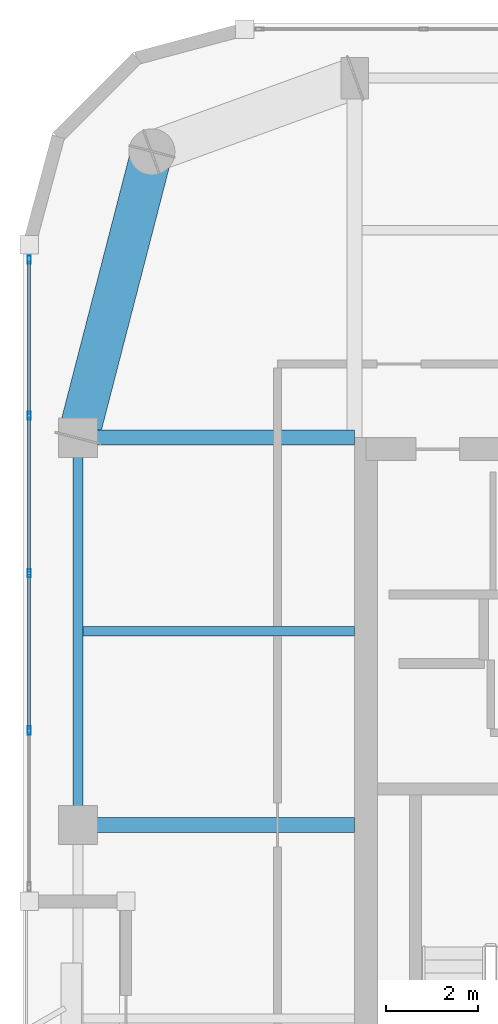
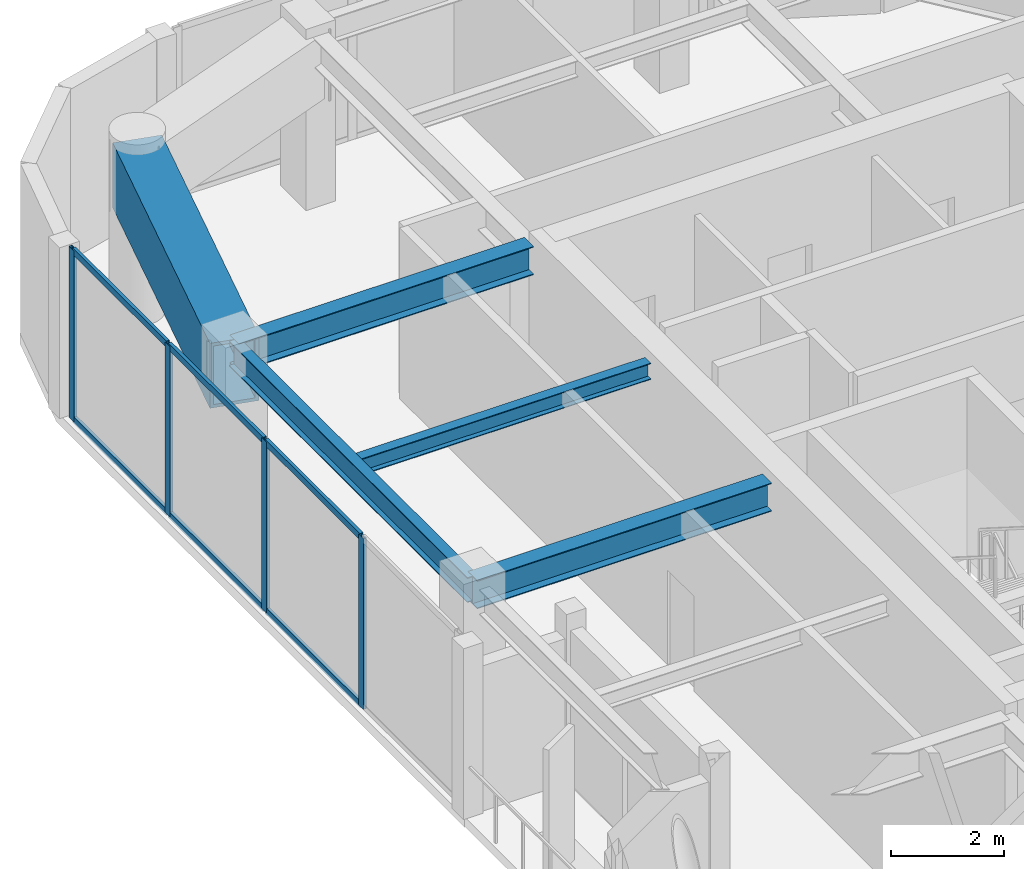
# One storey, part 4 of 15: 10 members, 5 beams, 1 element without a shape of its own.
"""IFC4 building model written with IfcOpenShell, lengths in metres."""

from ifc_helpers import new_model, si_unit, direction, frame, origin, origin_2d, place, context, subcontext, project, spatial, hollow_rectangle, i_section, extrude, material, layer, layer_set, material_profile, profile_set, type_object, element, aggregate, save


model = new_model("IFC4")

# Units and contexts
model_context = context("Model", 3, precision=1e-05, world=origin(), true_north=direction((0.0, 1.0)))
body_context = subcontext(model_context, "Body", "Model", "MODEL_VIEW")
ifc_project = project(units=[si_unit("LENGTHUNIT", "METRE"), si_unit("AREAUNIT", "SQUARE_METRE"), si_unit("VOLUMEUNIT", "CUBIC_METRE"), si_unit("PLANEANGLEUNIT", "RADIAN"), si_unit("MASSUNIT", "GRAM", prefix="KILO")], contexts=[model_context])

# Site, building, storey
site_placement = place(None, origin())
site = spatial("IfcSite", under=ifc_project, at=site_placement, CompositionType="ELEMENT")
building_placement = place(site_placement, origin())
building = spatial("IfcBuilding", under=site, at=building_placement, Name="Kiyonajd Concourse Tower", CompositionType="ELEMENT")
storey_placement = place(building_placement, frame((0.0, 0.0, 314.10009765625)))
storey = spatial("IfcBuildingStorey", under=building, at=storey_placement, Name="L79", CompositionType="ELEMENT", Elevation=314.10009765625)

# Beams
ifc_material_1 = material(Name="Steel ASTM A992 Grade 50", Category="steel")
ifc_material_profile_1 = material_profile(ifc_material_1, i_section(OverallWidth=0.205078125, OverallDepth=0.35400390625, WebThickness=0.009521484375, FlangeThickness=0.016845703125, at=origin_2d()), Name="W360X79")
ifc_profile_set_1 = profile_set([ifc_material_profile_1], Name="Steel ASTM A992 Grade 50")
beam_type_1 = type_object("IfcBeamType", Name="BM-JST-360", PredefinedType="JOIST", material=ifc_profile_set_1)
beam_1_placement = place(storey_placement, frame((26.505615234375, 40.199951171875, 3.5029296875), z_axis=(1.0, 0.0, 0.0), x_axis=(0.0, 1.0, 0.0)))
element("IfcBeam", 1, at=beam_1_placement, inside=storey, type_object=beam_type_1, Name="L79 West Secondary Floor Joist", PredefinedType="JOIST", context=body_context, shape_type="SweptSolid", body=[
    extrude(i_section(OverallWidth=0.205078125, OverallDepth=0.35400390625, WebThickness=0.009521484375, FlangeThickness=0.016845703125, at=origin_2d()), origin(), (0.0, 0.0, 1.0), 5.894287109375),
])
ifc_material_profile_2 = material_profile(ifc_material_1, i_section(OverallWidth=0.2109375, OverallDepth=0.5390625, WebThickness=0.01171875, FlangeThickness=0.018798828125, at=origin_2d()), Name="W530X109")
ifc_profile_set_2 = profile_set([ifc_material_profile_2], Name="Steel ASTM A992 Grade 50")
beam_type_2 = type_object("IfcBeamType", Name="BM-SPAN-530B", PredefinedType="SPANDREL", material=ifc_profile_set_2)
beam_2_placement = place(storey_placement, frame((26.39990234375, 44.39990234375, 3.410400390625), z_axis=(0.0, -1.0, 0.0), x_axis=(1.0, 0.0, 0.0)))
element("IfcBeam", 2, at=beam_2_placement, inside=storey, type_object=beam_type_2, Name="L79 Perimeter Bundled Tube Spandrel", PredefinedType="SPANDREL", context=body_context, shape_type="SweptSolid", body=[
    extrude(i_section(OverallWidth=0.2109375, OverallDepth=0.5390625, WebThickness=0.01171875, FlangeThickness=0.018798828125, at=origin_2d()), origin(), (0.0, 0.0, 1.0), 8.39990234375),
])
ifc_material_profile_3 = material_profile(ifc_material_1, i_section(OverallWidth=0.323974609375, OverallDepth=0.611083984375, WebThickness=0.0126953125, FlangeThickness=0.01904296875, at=origin_2d()), Name="W610X155")
ifc_profile_set_3 = profile_set([ifc_material_profile_3], Name="Steel ASTM A992 Grade 50")
beam_type_3 = type_object("IfcBeamType", Name="BM-TWR-610B", PredefinedType="BEAM", material=ifc_profile_set_3)
for number, where, z_axis, x_axis, name in (
    (3, (26.39990234375, 36.0, 3.37451171875), (1.0, 0.0, 0.0), (0.0, 1.0, 0.0), "L79 West Lease Girder"),
    (4, (26.39990234375, 44.39990234375, 3.37451171875), (1.0, 0.0, 0.0), (0.0, 1.0, 0.0), "L79 West Lease Girder"),
):
    element("IfcBeam", number, at=place(storey_placement, frame(where, z_axis=z_axis, x_axis=x_axis)), inside=storey, type_object=beam_type_3, Name=name, PredefinedType="BEAM", context=body_context, shape_type="SweptSolid", body=[
        extrude(i_section(OverallWidth=0.323974609375, OverallDepth=0.611083984375, WebThickness=0.0126953125, FlangeThickness=0.01904296875, at=origin_2d()), origin(), (0.0, 0.0, 1.0), 6.0),
    ])
ifc_material_2 = material(Name="Steel ASTM A572 Grade 50", Category="steel")
ifc_material_profile_4 = material_profile(ifc_material_2, hollow_rectangle(XDim=0.89990234375, YDim=1.39990234375, WallThickness=0.070068359375, at=origin_2d()), Name="BOX-1400x900x70")
ifc_profile_set_4 = profile_set([ifc_material_profile_4], Name="Steel ASTM A572 Grade 50")
beam_type_4 = type_object("IfcBeamType", Name="BM-XFER-1400", PredefinedType="BEAM", material=ifc_profile_set_4)
beam_3_placement = place(storey_placement, frame((28.0, 50.60009765625, 2.97998046875), z_axis=(-0.249884937687, -0.968275538221, 0.0), x_axis=(0.968275538221, -0.249884937687, 0.0)))
element("IfcBeam", 5, at=beam_3_placement, inside=storey, type_object=beam_type_4, Name="L79 Perimeter Bundled Tube Spandrel", PredefinedType="BEAM", context=body_context, shape_type="SweptSolid", body=[
    extrude(hollow_rectangle(XDim=0.89990234375, YDim=1.39990234375, WallThickness=0.070068359375, at=origin_2d()), origin(), (0.0, 0.0, 1.0), 6.4033203125),
])

# Curtain wall, members
ifc_material_3 = material(Name="Thermally Broken Anodised Aluminium", Category="aluminium")
ifc_layer = layer(ifc_material_3, 0.179931640625)
ifc_layer_set = layer_set([ifc_layer], Name="Thermally Broken Anodised Aluminium")
curtain_wall_type = type_object("IfcCurtainWallType", Name="CW-SYS-04", PredefinedType="NOTDEFINED", material=ifc_layer_set)
curtain_wall_placement = place(storey_placement, origin())
curtain_wall = element("IfcCurtainWall", 6, at=curtain_wall_placement, inside=storey, type_object=curtain_wall_type, Name="L79 Unitised Curtain Wall CW4", PredefinedType="NOTDEFINED")
ifc_material_profile_5 = material_profile(ifc_material_3, hollow_rectangle(XDim=0.06494140625, YDim=0.179931640625, WallThickness=0.00390625, at=origin_2d()), Name="MULL-65x180")
ifc_profile_set_5 = profile_set([ifc_material_profile_5], Name="Thermally Broken Anodised Aluminium")
member_type_1 = type_object("IfcMemberType", Name="MB-CW-MULL1", PredefinedType="MULLION", material=ifc_profile_set_5)
member_1_placement = place(storey_placement, frame((25.340087890625, 38.04541015625, 0.0), z_axis=(0.0, 0.0, 1.0), x_axis=(-1.0, 0.0, 0.0)))
member_1 = element("IfcMember", 7, at=member_1_placement, type_object=member_type_1, Name="CW4 mullion 2", PredefinedType="MULLION", context=body_context, shape_type="SweptSolid", body=[
    extrude(hollow_rectangle(XDim=0.06494140625, YDim=0.179931640625, WallThickness=0.00390625, at=origin_2d()), origin(), (0.0, 0.0, 1.0), 3.679931640625),
])
member_2_placement = place(storey_placement, frame((25.340087890625, 41.460693359375, 0.0), z_axis=(0.0, 0.0, 1.0), x_axis=(-1.0, 0.0, 0.0)))
member_2 = element("IfcMember", 8, at=member_2_placement, type_object=member_type_1, Name="CW4 mullion 3", PredefinedType="MULLION", context=body_context, shape_type="SweptSolid", body=[
    extrude(hollow_rectangle(XDim=0.06494140625, YDim=0.179931640625, WallThickness=0.00390625, at=origin_2d()), origin(), (0.0, 0.0, 1.0), 3.679931640625),
])
member_3_placement = place(storey_placement, frame((25.340087890625, 44.876220703125, 0.0), z_axis=(0.0, 0.0, 1.0), x_axis=(-1.0, 0.0, 0.0)))
member_3 = element("IfcMember", 9, at=member_3_placement, type_object=member_type_1, Name="CW4 mullion 4", PredefinedType="MULLION", context=body_context, shape_type="SweptSolid", body=[
    extrude(hollow_rectangle(XDim=0.06494140625, YDim=0.179931640625, WallThickness=0.00390625, at=origin_2d()), origin(), (0.0, 0.0, 1.0), 3.679931640625),
])
member_4_placement = place(storey_placement, frame((25.340087890625, 48.259033203125, 0.0), z_axis=(0.0, 0.0, 1.0), x_axis=(-1.0, 0.0, 0.0)))
member_4 = element("IfcMember", 10, at=member_4_placement, type_object=member_type_1, Name="CW4 mullion 5", PredefinedType="MULLION", context=body_context, shape_type="SweptSolid", body=[
    extrude(hollow_rectangle(XDim=0.06494140625, YDim=0.179931640625, WallThickness=0.00390625, at=origin_2d()), origin(), (0.0, 0.0, 1.0), 3.679931640625),
])
ifc_material_profile_6 = material_profile(ifc_material_3, hollow_rectangle(XDim=0.06494140625, YDim=0.139892578125, WallThickness=0.00390625, at=origin_2d()), Name="TRAN-65x140")
ifc_profile_set_6 = profile_set([ifc_material_profile_6], Name="Thermally Broken Anodised Aluminium")
member_type_2 = type_object("IfcMemberType", Name="MB-CW-TRAN1", PredefinedType="USERDEFINED", material=ifc_profile_set_6)
member_5_placement = place(storey_placement, frame((25.340087890625, 38.077880859375, 0.032470703125), z_axis=(0.0, 1.0, 0.0), x_axis=(-1.0, 0.0, 0.0)))
member_5 = element("IfcMember", 11, at=member_5_placement, type_object=member_type_2, Name="CW4 transom 2.1", ObjectType="TRANSOM", PredefinedType="USERDEFINED", context=body_context, shape_type="SweptSolid", body=[
    extrude(hollow_rectangle(XDim=0.06494140625, YDim=0.139892578125, WallThickness=0.00390625, at=origin_2d()), origin(), (0.0, 0.0, 1.0), 3.350341796875),
])
member_6_placement = place(storey_placement, frame((25.340087890625, 38.077880859375, 3.6474609375), z_axis=(0.0, 1.0, 0.0), x_axis=(-1.0, 0.0, 0.0)))
member_6 = element("IfcMember", 12, at=member_6_placement, type_object=member_type_2, Name="CW4 transom 2.2", ObjectType="TRANSOM", PredefinedType="USERDEFINED", context=body_context, shape_type="SweptSolid", body=[
    extrude(hollow_rectangle(XDim=0.06494140625, YDim=0.139892578125, WallThickness=0.00390625, at=origin_2d()), origin(), (0.0, 0.0, 1.0), 3.350341796875),
])
member_7_placement = place(storey_placement, frame((25.340087890625, 41.493408203125, 0.032470703125), z_axis=(0.0, 1.0, 0.0), x_axis=(-1.0, 0.0, 0.0)))
member_7 = element("IfcMember", 13, at=member_7_placement, type_object=member_type_2, Name="CW4 transom 3.1", ObjectType="TRANSOM", PredefinedType="USERDEFINED", context=body_context, shape_type="SweptSolid", body=[
    extrude(hollow_rectangle(XDim=0.06494140625, YDim=0.139892578125, WallThickness=0.00390625, at=origin_2d()), origin(), (0.0, 0.0, 1.0), 3.350341796875),
])
member_8_placement = place(storey_placement, frame((25.340087890625, 41.493408203125, 3.6474609375), z_axis=(0.0, 1.0, 0.0), x_axis=(-1.0, 0.0, 0.0)))
member_8 = element("IfcMember", 14, at=member_8_placement, type_object=member_type_2, Name="CW4 transom 3.2", ObjectType="TRANSOM", PredefinedType="USERDEFINED", context=body_context, shape_type="SweptSolid", body=[
    extrude(hollow_rectangle(XDim=0.06494140625, YDim=0.139892578125, WallThickness=0.00390625, at=origin_2d()), origin(), (0.0, 0.0, 1.0), 3.350341796875),
])
member_9_placement = place(storey_placement, frame((25.340087890625, 44.90869140625, 0.032470703125), z_axis=(0.0, 1.0, 0.0), x_axis=(-1.0, 0.0, 0.0)))
member_9 = element("IfcMember", 15, at=member_9_placement, type_object=member_type_2, Name="CW4 transom 4.1", ObjectType="TRANSOM", PredefinedType="USERDEFINED", context=body_context, shape_type="SweptSolid", body=[
    extrude(hollow_rectangle(XDim=0.06494140625, YDim=0.139892578125, WallThickness=0.00390625, at=origin_2d()), origin(), (0.0, 0.0, 1.0), 3.31787109375),
])
member_10_placement = place(storey_placement, frame((25.340087890625, 44.90869140625, 3.6474609375), z_axis=(0.0, 1.0, 0.0), x_axis=(-1.0, 0.0, 0.0)))
member_10 = element("IfcMember", 16, at=member_10_placement, type_object=member_type_2, Name="CW4 transom 4.2", ObjectType="TRANSOM", PredefinedType="USERDEFINED", context=body_context, shape_type="SweptSolid", body=[
    extrude(hollow_rectangle(XDim=0.06494140625, YDim=0.139892578125, WallThickness=0.00390625, at=origin_2d()), origin(), (0.0, 0.0, 1.0), 3.31787109375),
])
aggregate(curtain_wall, [member_1, member_2, member_3, member_4, member_5, member_6, member_7, member_8, member_9, member_10])

save(model, "model.ifc")
